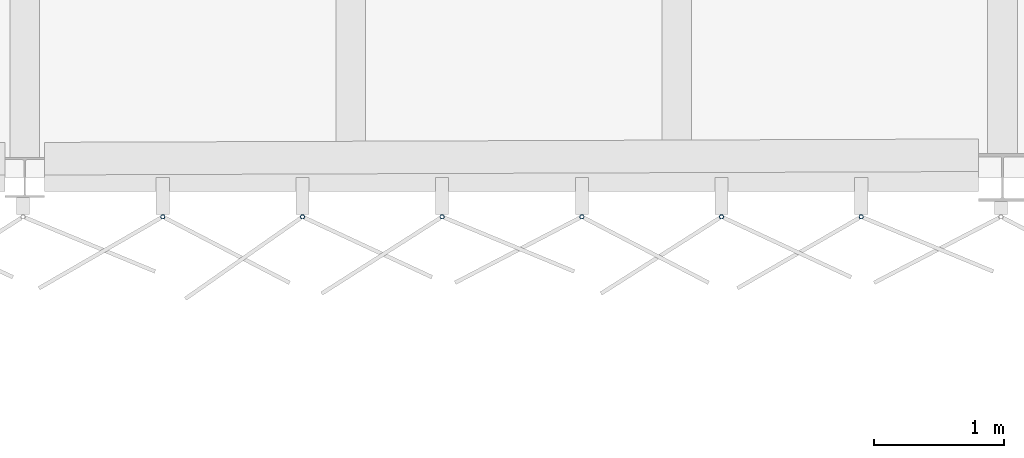
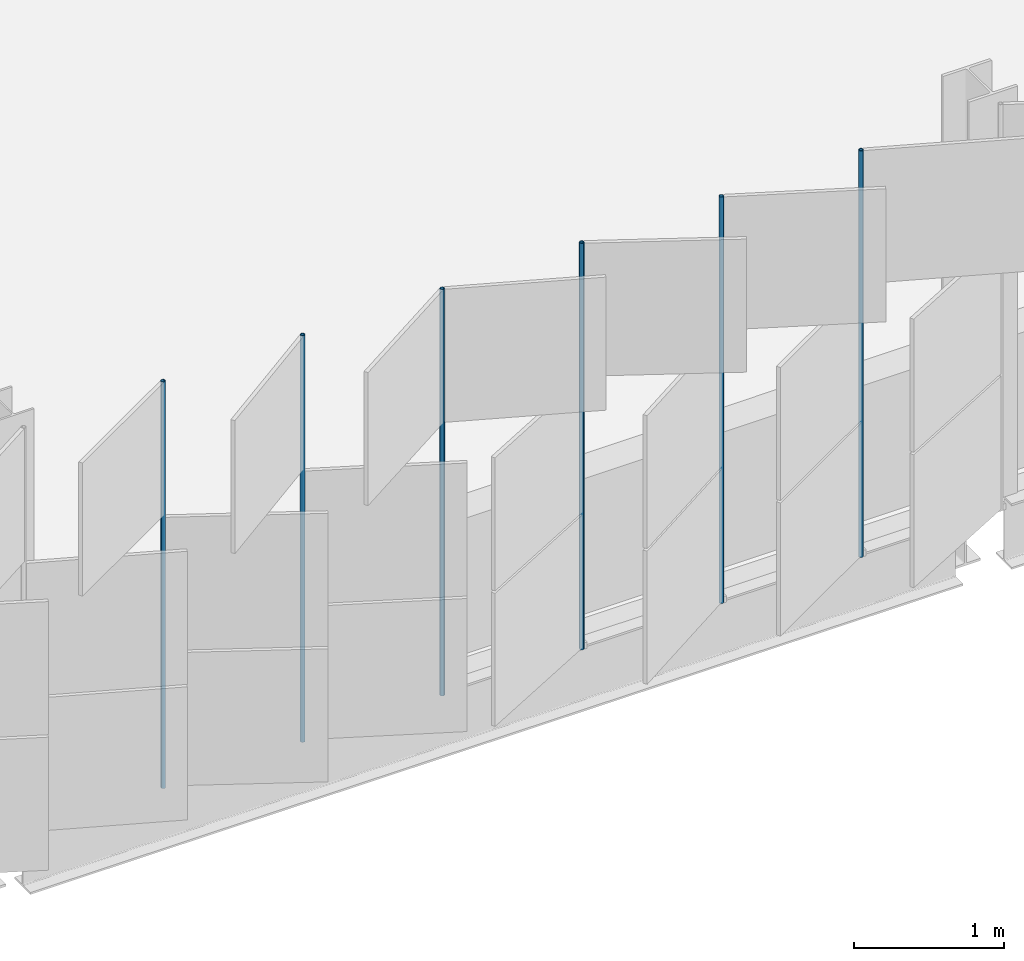
# One storey, part 71 of 198: 6 discrete accessories.
"""IFC4 building model written with IfcOpenShell, lengths in metres."""

import ifcopenshell
import ifcopenshell.guid

model = None  # the IFC model being written
_history = None  # IfcOwnerHistory: only IFC2X3 demands one
_inside = {}  # id of a spatial element -> (the spatial element, [elements in it])
_under = {}  # id of a project, library or spatial element -> (it, [spatial elements below it])
_declared = {}  # id of a project -> (the project, [libraries it declares])
_typed = {}  # id of a type object -> (the type object, [elements of that type])
_made_of = {}  # id of a material, layer set ... -> (it, [elements and type objects made of it])


def new_model(schema):
    """Start an empty IFC model of exactly this schema.

    Asked for "IFC4X3", IfcOpenShell would pick the latest addendum, in which some entities
    have other attributes; the version numbers below select the first issue.
    IFC2X3 requires an IfcOwnerHistory on every rooted entity: one is made here for all.
    """
    global model, _history
    if schema == "IFC4X3":
        model = ifcopenshell.file(schema_version=(4, 3, 0, 0))
    else:
        model = ifcopenshell.file(schema=schema)
    _inside.clear()
    _under.clear()
    _declared.clear()
    _typed.clear()
    _made_of.clear()
    _history = None
    if model.schema == "IFC2X3":
        org = make("IfcOrganization", Name="unknown")
        user = make(
            "IfcPersonAndOrganization",
            ThePerson=make("IfcPerson", FamilyName="unknown"),
            TheOrganization=org,
        )
        app = make(
            "IfcApplication",
            ApplicationDeveloper=org,
            Version="unknown",
            ApplicationFullName="unknown",
            ApplicationIdentifier="unknown",
        )
        _history = make(
            "IfcOwnerHistory",
            OwningUser=user,
            OwningApplication=app,
            ChangeAction="ADDED",
            CreationDate=0,
        )
    return model


def make(cls, **values):
    """One entity of the class cls with the attributes given. An attribute that is None is left unset."""
    return model.create_entity(
        cls, **{name: value for name, value in values.items() if value is not None}
    )


def rooted(cls, **values):
    """An entity with a GlobalId (a new one), such as an element, a storey or a relation."""
    return make(cls, GlobalId=ifcopenshell.guid.new(), OwnerHistory=_history, **values)


def si_unit(unit_type, name, prefix=None):
    """IfcSIUnit, for example si_unit("LENGTHUNIT", "METRE", prefix="MILLI")."""
    return make("IfcSIUnit", UnitType=unit_type, Prefix=prefix, Name=name)


def assignment(units):
    """IfcUnitAssignment: the units of a project."""
    return None if units is None else make("IfcUnitAssignment", Units=units)


def point(xyz):
    """IfcCartesianPoint."""
    return None if xyz is None else make("IfcCartesianPoint", Coordinates=xyz)


def direction(xyz):
    """IfcDirection."""
    return None if xyz is None else make("IfcDirection", DirectionRatios=xyz)


def frame(location, z_axis=None, x_axis=None):
    """IfcAxis2Placement3D, a coordinate frame: its origin and axes. An axis left out is left unset."""
    return make(
        "IfcAxis2Placement3D",
        Location=point(location),
        Axis=direction(z_axis),
        RefDirection=direction(x_axis),
    )


def frame_2d(location, x_axis=None):
    """IfcAxis2Placement2D, a coordinate frame in the plane: its origin and x axis."""
    return make(
        "IfcAxis2Placement2D", Location=point(location), RefDirection=direction(x_axis)
    )


def origin():
    """The frame at (0, 0, 0) with its axes left unset."""
    return frame((0.0, 0.0, 0.0))


def origin_2d():
    """The frame at (0, 0) in the plane with its x axis left unset."""
    return frame_2d((0.0, 0.0))


def place(relative_to, where):
    """IfcLocalPlacement: puts the frame where relative to a parent placement (None: the world)."""
    return make(
        "IfcLocalPlacement", PlacementRelTo=relative_to, RelativePlacement=where
    )


def context(
    kind, dimensions, precision=None, world=None, true_north=None, identifier=None
):
    """IfcGeometricRepresentationContext, for example the 3D "Model" context."""
    return make(
        "IfcGeometricRepresentationContext",
        ContextIdentifier=identifier,
        ContextType=kind,
        CoordinateSpaceDimension=dimensions,
        Precision=precision,
        WorldCoordinateSystem=world,
        TrueNorth=true_north,
    )


def subcontext(parent, identifier, kind, view, scale=None):
    """IfcGeometricRepresentationSubContext, for example "Body" below "Model"."""
    return make(
        "IfcGeometricRepresentationSubContext",
        ContextIdentifier=identifier,
        ContextType=kind,
        ParentContext=parent,
        TargetScale=scale,
        TargetView=view,
    )


def project(units=None, contexts=None):
    """IfcProject with its units and contexts."""
    return rooted(
        "IfcProject",
        Name="project",
        RepresentationContexts=contexts,
        UnitsInContext=assignment(units),
    )


def spatial(cls, under=None, at=None, **own):
    """A site, building, storey or space (cls), placed at a placement, below another one or the project."""
    s = rooted(cls, ObjectPlacement=at, **own)
    if under is not None:
        _under.setdefault(under.id(), (under, []))[1].append(s)
    return s


def profile(cls, at=None, kind="AREA", **sizes):
    """A parametric profile (cls). Its sizes go by their IFC names, for example OverallWidth=200.0."""
    return make(cls, ProfileType=kind, Position=at, **sizes)


def hollow_circle(**sizes):
    """IfcCircleHollowProfileDef."""
    return profile("IfcCircleHollowProfileDef", **sizes)


def extrude(swept, where, along, depth):
    """IfcExtrudedAreaSolid: the profile swept, set in the frame where, extruded along a direction by depth."""
    return make(
        "IfcExtrudedAreaSolid",
        SweptArea=swept,
        Position=where,
        ExtrudedDirection=direction(along),
        Depth=depth,
    )


def shape(context_of_items, identifier, shape_type, items):
    """IfcShapeRepresentation: the items that make up one representation, for example the "Body"."""
    return make(
        "IfcShapeRepresentation",
        ContextOfItems=context_of_items,
        RepresentationIdentifier=identifier,
        RepresentationType=shape_type,
        Items=items,
    )


def material(Name=None, Category=None):
    """IfcMaterial."""
    return make("IfcMaterial", Name=Name, Category=Category)


def material_profile(
    of_material, cross_section, Name=None, Category=None, Priority=None
):
    """IfcMaterialProfile: a cross section and its material."""
    return make(
        "IfcMaterialProfile",
        Name=Name,
        Material=of_material,
        Profile=cross_section,
        Priority=Priority,
        Category=Category,
    )


def profile_set(profiles, Name=None, composite=None):
    """IfcMaterialProfileSet."""
    return make(
        "IfcMaterialProfileSet",
        Name=Name,
        MaterialProfiles=profiles,
        CompositeProfile=composite,
    )


def made_of(thing, what):
    """Note that an element or type object is made of a material, layer set ...; save() writes the relation."""
    if what is not None:
        _made_of.setdefault(what.id(), (what, []))[1].append(thing)
    return thing


def type_object(cls, material=None, **own):
    """A type object (cls), such as IfcWallType, which elements share."""
    return made_of(rooted(cls, **own), material)


def element(
    cls,
    number,
    at=None,
    inside=None,
    cuts=None,
    type_object=None,
    material=None,
    context=None,
    identifier="Body",
    shape_type=None,
    held_by="IfcProductDefinitionShape",
    body=None,
    shapes=None,
    **own,
):
    """One element of the class cls, such as IfcWall. Its Tag is "e" and its number.

    at: its placement. inside: the storey or other place that contains it. cuts: it is an
    opening in that element (IfcRelVoidsElement). A single representation is given by context,
    identifier, shape_type and body (its items); several are given by shapes. held_by: the class
    of the entity that holds the representations. save() writes the other relations.
    """
    e = rooted(cls, Tag="e%d" % number, ObjectPlacement=at, **own)
    if body is not None:
        shapes = [shape(context, identifier, shape_type, body)]
    if shapes is not None:
        e.Representation = make(held_by, Representations=shapes)
    if inside is not None:
        _inside.setdefault(inside.id(), (inside, []))[1].append(e)
    if cuts is not None:
        rooted(
            "IfcRelVoidsElement", RelatingBuildingElement=cuts, RelatedOpeningElement=e
        )
    if type_object is not None:
        _typed.setdefault(type_object.id(), (type_object, []))[1].append(e)
    return made_of(e, material)


def aggregate(whole, parts):
    """IfcRelAggregates: a whole, such as a stair, and the parts it consists of."""
    return rooted("IfcRelAggregates", RelatingObject=whole, RelatedObjects=parts)


def save(model, path):
    """Write the relations noted so far, then the file.

    IfcRelAggregates (storeys below a building ...), IfcRelContainedInSpatialStructure (elements
    in a storey), IfcRelDefinesByType, IfcRelAssociatesMaterial and IfcRelDeclares: one each for
    every whole, place, type object, material and project.
    """
    for whole, parts in _under.values():
        aggregate(whole, parts)
    for where, things in _inside.values():
        rooted(
            "IfcRelContainedInSpatialStructure",
            RelatedElements=things,
            RelatingStructure=where,
        )
    for kind, things in _typed.values():
        rooted("IfcRelDefinesByType", RelatedObjects=things, RelatingType=kind)
    for what, things in _made_of.values():
        rooted("IfcRelAssociatesMaterial", RelatedObjects=things, RelatingMaterial=what)
    for by, libraries in _declared.values():
        rooted("IfcRelDeclares", RelatingContext=by, RelatedDefinitions=libraries)
    model.write(path)


model = new_model("IFC4")

# Units and contexts
model_context = context("Model", 3, precision=1e-05, world=origin(), true_north=direction((0.0, 1.0)))
body_context = subcontext(model_context, "Body", "Model", "MODEL_VIEW")
ifc_project = project(units=[si_unit("LENGTHUNIT", "METRE"), si_unit("AREAUNIT", "SQUARE_METRE"), si_unit("VOLUMEUNIT", "CUBIC_METRE"), si_unit("PLANEANGLEUNIT", "RADIAN"), si_unit("MASSUNIT", "GRAM", prefix="KILO")], contexts=[model_context])

# Site, building, storey
site_placement = place(None, origin())
site = spatial("IfcSite", under=ifc_project, at=site_placement, CompositionType="ELEMENT")
building_placement = place(site_placement, origin())
building = spatial("IfcBuilding", under=site, at=building_placement, Name="Parallax Yard Mobility Hub", CompositionType="ELEMENT")
storey_placement = place(building_placement, frame((0.0, 0.0, 6.60009765625)))
storey = spatial("IfcBuildingStorey", under=building, at=storey_placement, Name="L02", CompositionType="ELEMENT", Elevation=6.60009765625)

# Discrete accessories
ifc_material = material(Name="Steel ASTM A500 Gr C, hot-dip galvanised", Category="steel")
ifc_material_profile = material_profile(ifc_material, hollow_circle(Radius=0.016845703125, WallThickness=0.003173828125, at=origin_2d()), Name="CHS 33.7x3.2")
ifc_profile_set = profile_set([ifc_material_profile], Name="Steel ASTM A500 Gr C, hot-dip galvanised")
discrete_accessory_type = type_object("IfcDiscreteAccessoryType", Name="Hinge post CHS 33.7x3.2", PredefinedType="BRACKET", material=ifc_profile_set)
for number, where, z_axis, x_axis, name in (
    (1, (53.558349609375, 112.199951171875, 0.0), (0.0, 0.0, 1.0), (1.0, 0.0, 0.0), "Hinge post bay 4.2 level L02"),
    (2, (54.6298828125, 112.199951171875, 0.0), (0.0, 0.0, 1.0), (1.0, 0.0, 0.0), "Hinge post bay 4.3 level L02"),
    (3, (55.701416015625, 112.199951171875, 0.0), (0.0, 0.0, 1.0), (1.0, 0.0, 0.0), "Hinge post bay 4.4 level L02"),
    (4, (56.772705078125, 112.199951171875, 0.0), (0.0, 0.0, 1.0), (1.0, 0.0, 0.0), "Hinge post bay 4.5 level L02"),
    (5, (57.84423828125, 112.199951171875, 0.0), (0.0, 0.0, 1.0), (1.0, 0.0, 0.0), "Hinge post bay 4.6 level L02"),
    (6, (58.915771484375, 112.199951171875, 0.0), (0.0, 0.0, 1.0), (1.0, 0.0, 0.0), "Hinge post bay 4.7 level L02"),
):
    element("IfcDiscreteAccessory", number, at=place(storey_placement, frame(where, z_axis=z_axis, x_axis=x_axis)), inside=storey, type_object=discrete_accessory_type, Name=name, PredefinedType="BRACKET", context=body_context, shape_type="SweptSolid", body=[
        extrude(hollow_circle(Radius=0.016845703125, WallThickness=0.003173828125, at=origin_2d()), origin(), (0.0, 0.0, 1.0), 3.2998046875),
    ])

save(model, "model.ifc")
